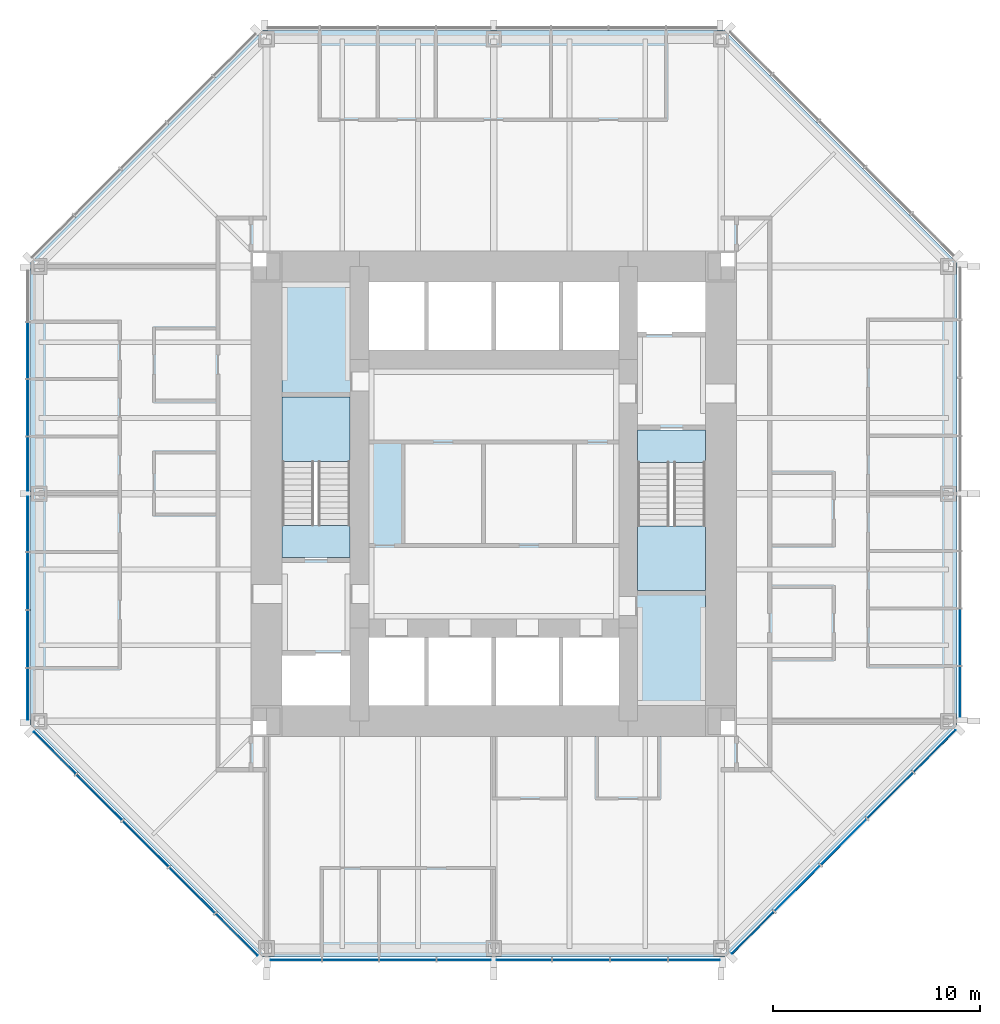
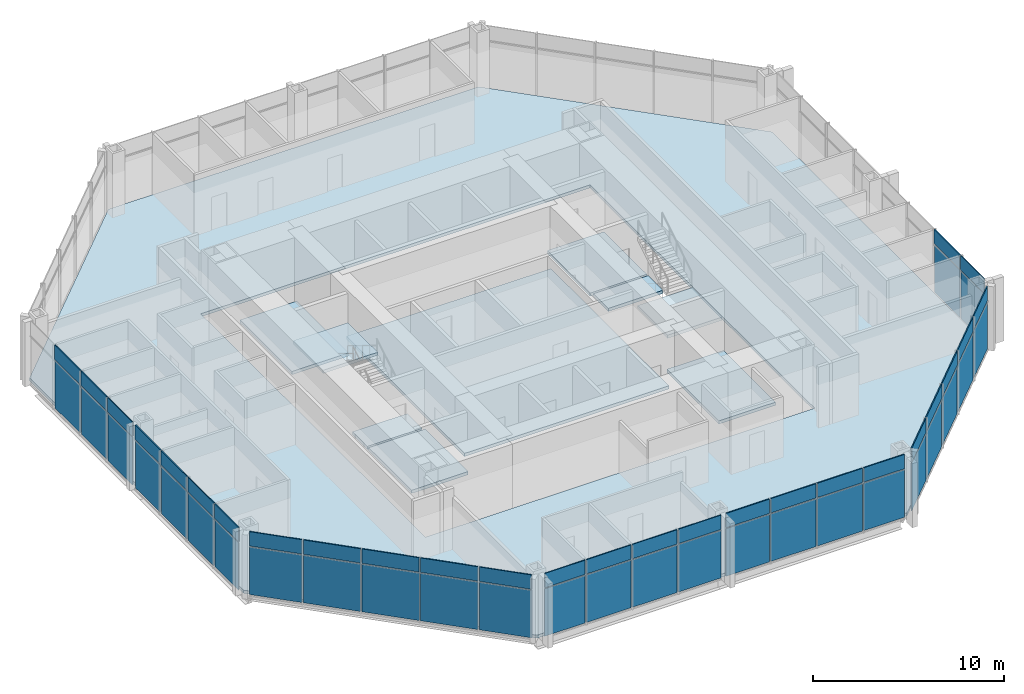
# One storey, part 7 of 12: 54 plates, 10 slabs, 7 elements without a shape of their own.
"""IFC4 building model written with IfcOpenShell, lengths in metres."""

import ifcopenshell
import ifcopenshell.guid

model = None  # the IFC model being written
_history = None  # IfcOwnerHistory: only IFC2X3 demands one
_inside = {}  # id of a spatial element -> (the spatial element, [elements in it])
_under = {}  # id of a project, library or spatial element -> (it, [spatial elements below it])
_declared = {}  # id of a project -> (the project, [libraries it declares])
_typed = {}  # id of a type object -> (the type object, [elements of that type])
_made_of = {}  # id of a material, layer set ... -> (it, [elements and type objects made of it])


def new_model(schema):
    """Start an empty IFC model of exactly this schema.

    Asked for "IFC4X3", IfcOpenShell would pick the latest addendum, in which some entities
    have other attributes; the version numbers below select the first issue.
    IFC2X3 requires an IfcOwnerHistory on every rooted entity: one is made here for all.
    """
    global model, _history
    if schema == "IFC4X3":
        model = ifcopenshell.file(schema_version=(4, 3, 0, 0))
    else:
        model = ifcopenshell.file(schema=schema)
    _inside.clear()
    _under.clear()
    _declared.clear()
    _typed.clear()
    _made_of.clear()
    _history = None
    if model.schema == "IFC2X3":
        org = make("IfcOrganization", Name="unknown")
        user = make(
            "IfcPersonAndOrganization",
            ThePerson=make("IfcPerson", FamilyName="unknown"),
            TheOrganization=org,
        )
        app = make(
            "IfcApplication",
            ApplicationDeveloper=org,
            Version="unknown",
            ApplicationFullName="unknown",
            ApplicationIdentifier="unknown",
        )
        _history = make(
            "IfcOwnerHistory",
            OwningUser=user,
            OwningApplication=app,
            ChangeAction="ADDED",
            CreationDate=0,
        )
    return model


def make(cls, **values):
    """One entity of the class cls with the attributes given. An attribute that is None is left unset."""
    return model.create_entity(
        cls, **{name: value for name, value in values.items() if value is not None}
    )


def rooted(cls, **values):
    """An entity with a GlobalId (a new one), such as an element, a storey or a relation."""
    return make(cls, GlobalId=ifcopenshell.guid.new(), OwnerHistory=_history, **values)


def si_unit(unit_type, name, prefix=None):
    """IfcSIUnit, for example si_unit("LENGTHUNIT", "METRE", prefix="MILLI")."""
    return make("IfcSIUnit", UnitType=unit_type, Prefix=prefix, Name=name)


def assignment(units):
    """IfcUnitAssignment: the units of a project."""
    return None if units is None else make("IfcUnitAssignment", Units=units)


def point(xyz):
    """IfcCartesianPoint."""
    return None if xyz is None else make("IfcCartesianPoint", Coordinates=xyz)


def direction(xyz):
    """IfcDirection."""
    return None if xyz is None else make("IfcDirection", DirectionRatios=xyz)


def frame(location, z_axis=None, x_axis=None):
    """IfcAxis2Placement3D, a coordinate frame: its origin and axes. An axis left out is left unset."""
    return make(
        "IfcAxis2Placement3D",
        Location=point(location),
        Axis=direction(z_axis),
        RefDirection=direction(x_axis),
    )


def frame_2d(location, x_axis=None):
    """IfcAxis2Placement2D, a coordinate frame in the plane: its origin and x axis."""
    return make(
        "IfcAxis2Placement2D", Location=point(location), RefDirection=direction(x_axis)
    )


def origin():
    """The frame at (0, 0, 0) with its axes left unset."""
    return frame((0.0, 0.0, 0.0))


def origin_2d():
    """The frame at (0, 0) in the plane with its x axis left unset."""
    return frame_2d((0.0, 0.0))


def place(relative_to, where):
    """IfcLocalPlacement: puts the frame where relative to a parent placement (None: the world)."""
    return make(
        "IfcLocalPlacement", PlacementRelTo=relative_to, RelativePlacement=where
    )


def context(
    kind, dimensions, precision=None, world=None, true_north=None, identifier=None
):
    """IfcGeometricRepresentationContext, for example the 3D "Model" context."""
    return make(
        "IfcGeometricRepresentationContext",
        ContextIdentifier=identifier,
        ContextType=kind,
        CoordinateSpaceDimension=dimensions,
        Precision=precision,
        WorldCoordinateSystem=world,
        TrueNorth=true_north,
    )


def subcontext(parent, identifier, kind, view, scale=None):
    """IfcGeometricRepresentationSubContext, for example "Body" below "Model"."""
    return make(
        "IfcGeometricRepresentationSubContext",
        ContextIdentifier=identifier,
        ContextType=kind,
        ParentContext=parent,
        TargetScale=scale,
        TargetView=view,
    )


def project(units=None, contexts=None):
    """IfcProject with its units and contexts."""
    return rooted(
        "IfcProject",
        Name="project",
        RepresentationContexts=contexts,
        UnitsInContext=assignment(units),
    )


def spatial(cls, under=None, at=None, **own):
    """A site, building, storey or space (cls), placed at a placement, below another one or the project."""
    s = rooted(cls, ObjectPlacement=at, **own)
    if under is not None:
        _under.setdefault(under.id(), (under, []))[1].append(s)
    return s


def polyline(points):
    """IfcPolyline through the points."""
    return make("IfcPolyline", Points=[point(p) for p in points])


def profile(cls, at=None, kind="AREA", **sizes):
    """A parametric profile (cls). Its sizes go by their IFC names, for example OverallWidth=200.0."""
    return make(cls, ProfileType=kind, Position=at, **sizes)


def rectangle(**sizes):
    """IfcRectangleProfileDef."""
    return profile("IfcRectangleProfileDef", **sizes)


def outline(outer, holes=None, kind="AREA"):
    """IfcArbitraryClosedProfileDef: a profile drawn as a closed curve; with holes, ...WithVoids."""
    if holes is None:
        return make("IfcArbitraryClosedProfileDef", ProfileType=kind, OuterCurve=outer)
    return make(
        "IfcArbitraryProfileDefWithVoids",
        ProfileType=kind,
        OuterCurve=outer,
        InnerCurves=holes,
    )


def extrude(swept, where, along, depth):
    """IfcExtrudedAreaSolid: the profile swept, set in the frame where, extruded along a direction by depth."""
    return make(
        "IfcExtrudedAreaSolid",
        SweptArea=swept,
        Position=where,
        ExtrudedDirection=direction(along),
        Depth=depth,
    )


def shape(context_of_items, identifier, shape_type, items):
    """IfcShapeRepresentation: the items that make up one representation, for example the "Body"."""
    return make(
        "IfcShapeRepresentation",
        ContextOfItems=context_of_items,
        RepresentationIdentifier=identifier,
        RepresentationType=shape_type,
        Items=items,
    )


def material(Name=None, Category=None):
    """IfcMaterial."""
    return make("IfcMaterial", Name=Name, Category=Category)


def layer(
    of_material, thickness, ventilated=None, Name=None, Category=None, Priority=None
):
    """IfcMaterialLayer: one layer of a wall or slab, of a material (None: an air gap)."""
    return make(
        "IfcMaterialLayer",
        Material=of_material,
        LayerThickness=thickness,
        IsVentilated=ventilated,
        Name=Name,
        Category=Category,
        Priority=Priority,
    )


def layer_set(layers, Name=None):
    """IfcMaterialLayerSet."""
    return make("IfcMaterialLayerSet", MaterialLayers=layers, LayerSetName=Name)


def made_of(thing, what):
    """Note that an element or type object is made of a material, layer set ...; save() writes the relation."""
    if what is not None:
        _made_of.setdefault(what.id(), (what, []))[1].append(thing)
    return thing


def type_object(cls, material=None, **own):
    """A type object (cls), such as IfcWallType, which elements share."""
    return made_of(rooted(cls, **own), material)


def element(
    cls,
    number,
    at=None,
    inside=None,
    cuts=None,
    type_object=None,
    material=None,
    context=None,
    identifier="Body",
    shape_type=None,
    held_by="IfcProductDefinitionShape",
    body=None,
    shapes=None,
    **own,
):
    """One element of the class cls, such as IfcWall. Its Tag is "e" and its number.

    at: its placement. inside: the storey or other place that contains it. cuts: it is an
    opening in that element (IfcRelVoidsElement). A single representation is given by context,
    identifier, shape_type and body (its items); several are given by shapes. held_by: the class
    of the entity that holds the representations. save() writes the other relations.
    """
    e = rooted(cls, Tag="e%d" % number, ObjectPlacement=at, **own)
    if body is not None:
        shapes = [shape(context, identifier, shape_type, body)]
    if shapes is not None:
        e.Representation = make(held_by, Representations=shapes)
    if inside is not None:
        _inside.setdefault(inside.id(), (inside, []))[1].append(e)
    if cuts is not None:
        rooted(
            "IfcRelVoidsElement", RelatingBuildingElement=cuts, RelatedOpeningElement=e
        )
    if type_object is not None:
        _typed.setdefault(type_object.id(), (type_object, []))[1].append(e)
    return made_of(e, material)


def aggregate(whole, parts):
    """IfcRelAggregates: a whole, such as a stair, and the parts it consists of."""
    return rooted("IfcRelAggregates", RelatingObject=whole, RelatedObjects=parts)


def save(model, path):
    """Write the relations noted so far, then the file.

    IfcRelAggregates (storeys below a building ...), IfcRelContainedInSpatialStructure (elements
    in a storey), IfcRelDefinesByType, IfcRelAssociatesMaterial and IfcRelDeclares: one each for
    every whole, place, type object, material and project.
    """
    for whole, parts in _under.values():
        aggregate(whole, parts)
    for where, things in _inside.values():
        rooted(
            "IfcRelContainedInSpatialStructure",
            RelatedElements=things,
            RelatingStructure=where,
        )
    for kind, things in _typed.values():
        rooted("IfcRelDefinesByType", RelatedObjects=things, RelatingType=kind)
    for what, things in _made_of.values():
        rooted("IfcRelAssociatesMaterial", RelatedObjects=things, RelatingMaterial=what)
    for by, libraries in _declared.values():
        rooted("IfcRelDeclares", RelatingContext=by, RelatedDefinitions=libraries)
    model.write(path)


model = new_model("IFC4")

# Units and contexts
model_context = context("Model", 3, precision=1e-05, world=origin(), true_north=direction((0.0, 1.0)))
body_context = subcontext(model_context, "Body", "Model", "MODEL_VIEW")
ifc_project = project(units=[si_unit("LENGTHUNIT", "METRE"), si_unit("AREAUNIT", "SQUARE_METRE"), si_unit("VOLUMEUNIT", "CUBIC_METRE"), si_unit("PLANEANGLEUNIT", "RADIAN"), si_unit("MASSUNIT", "GRAM", prefix="KILO")], contexts=[model_context])

# Site, building, storey
site_placement = place(None, origin())
site = spatial("IfcSite", under=ifc_project, at=site_placement, CompositionType="ELEMENT")
building_placement = place(site_placement, origin())
building = spatial("IfcBuilding", under=site, at=building_placement, Name="Trevanion Tower", CompositionType="ELEMENT")
storey_placement = place(building_placement, frame((0.0, 0.0, 121.300048828125)))
storey = spatial("IfcBuildingStorey", under=building, at=storey_placement, Name="L28", CompositionType="ELEMENT", Elevation=121.300048828125)

# Curtain wall, plates
ifc_material_1 = material(Name="Aluminium and glass", Category="aluminium")
curtain_wall_type = type_object("IfcCurtainWallType", Name="CW2 curtain wall", PredefinedType="USERDEFINED", material=ifc_material_1)
curtain_wall_1_placement = place(storey_placement, origin())
curtain_wall_1 = element("IfcCurtainWall", 1, at=curtain_wall_1_placement, inside=storey, type_object=curtain_wall_type, Name="CW2 L28 0", ObjectType="UNITISED CURTAIN WALL", PredefinedType="USERDEFINED")
ifc_material_2 = material(Name="Aluminium spandrel panel", Category="aluminium")
ifc_layer_1 = layer(ifc_material_2, 0.06005859375)
ifc_layer_set_1 = layer_set([ifc_layer_1], Name="CW2 spandrel panel")
plate_type_1 = type_object("IfcPlateType", Name="CW2 spandrel panel", PredefinedType="CURTAIN_PANEL", material=ifc_layer_set_1)
plate_1_placement = place(storey_placement, frame((22.550048828125, -9.579345703125, 2.997314453125), z_axis=(0.0, 0.0, 1.0), x_axis=(0.0, 1.0, 0.0)))
plate_1 = element("IfcPlate", 2, at=plate_1_placement, type_object=plate_type_1, Name="CW2 panel 1.2", PredefinedType="CURTAIN_PANEL", context=body_context, shape_type="SweptSolid", body=[
    extrude(rectangle(XDim=2.43701171875, YDim=0.06005859375, at=origin_2d()), origin(), (0.0, 0.0, 1.0), 0.91259765625),
])
plate_2_placement = place(storey_placement, frame((22.550048828125, -6.93603515625, 2.997314453125), z_axis=(0.0, 0.0, 1.0), x_axis=(0.0, 1.0, 0.0)))
plate_2 = element("IfcPlate", 3, at=plate_2_placement, type_object=plate_type_1, Name="CW2 panel 2.2", PredefinedType="CURTAIN_PANEL", context=body_context, shape_type="SweptSolid", body=[
    extrude(rectangle(XDim=2.699462890625, YDim=0.06005859375, at=origin_2d()), origin(), (0.0, 0.0, 1.0), 0.91259765625),
])

curtain_wall_2_placement = place(storey_placement, origin())
curtain_wall_2 = element("IfcCurtainWall", 4, at=curtain_wall_2_placement, inside=storey, type_object=curtain_wall_type, Name="CW2 L28 4", ObjectType="UNITISED CURTAIN WALL", PredefinedType="USERDEFINED")
plate_3_placement = place(storey_placement, frame((-22.550048828125, 6.93603515625, 2.997314453125), z_axis=(0.0, 0.0, 1.0), x_axis=(0.0, -1.0, 0.0)))
plate_3 = element("IfcPlate", 5, at=plate_3_placement, type_object=plate_type_1, Name="CW2 panel 2.2", PredefinedType="CURTAIN_PANEL", context=body_context, shape_type="SweptSolid", body=[
    extrude(rectangle(XDim=2.699462890625, YDim=0.06005859375, at=origin_2d()), origin(), (0.0, 0.0, 1.0), 0.91259765625),
])
plate_4_placement = place(storey_placement, frame((-22.550048828125, 4.16162109375, 2.997314453125), z_axis=(0.0, 0.0, 1.0), x_axis=(0.0, -1.0, 0.0)))
plate_4 = element("IfcPlate", 6, at=plate_4_placement, type_object=plate_type_1, Name="CW2 panel 3.2", PredefinedType="CURTAIN_PANEL", context=body_context, shape_type="SweptSolid", body=[
    extrude(rectangle(XDim=2.699462890625, YDim=0.06005859375, at=origin_2d()), origin(), (0.0, 0.0, 1.0), 0.91259765625),
])
plate_5_placement = place(storey_placement, frame((-22.550048828125, 1.443603515625, 2.997314453125), z_axis=(0.0, 0.0, 1.0), x_axis=(0.0, -1.0, 0.0)))
plate_5 = element("IfcPlate", 7, at=plate_5_placement, type_object=plate_type_1, Name="CW2 panel 4.2", PredefinedType="CURTAIN_PANEL", context=body_context, shape_type="SweptSolid", body=[
    extrude(rectangle(XDim=2.5869140625, YDim=0.06005859375, at=origin_2d()), origin(), (0.0, 0.0, 1.0), 0.91259765625),
])
plate_6_placement = place(storey_placement, frame((-22.550048828125, -1.459716796875, 2.997314453125), z_axis=(0.0, 0.0, 1.0), x_axis=(0.0, -1.0, 0.0)))
plate_6 = element("IfcPlate", 8, at=plate_6_placement, type_object=plate_type_1, Name="CW2 panel 5.2", PredefinedType="CURTAIN_PANEL", context=body_context, shape_type="SweptSolid", body=[
    extrude(rectangle(XDim=2.619384765625, YDim=0.06005859375, at=origin_2d()), origin(), (0.0, 0.0, 1.0), 0.91259765625),
])
plate_7_placement = place(storey_placement, frame((-22.550048828125, -4.21044921875, 2.997314453125), z_axis=(0.0, 0.0, 1.0), x_axis=(0.0, -1.0, 0.0)))
plate_7 = element("IfcPlate", 9, at=plate_7_placement, type_object=plate_type_1, Name="CW2 panel 6.2", PredefinedType="CURTAIN_PANEL", context=body_context, shape_type="SweptSolid", body=[
    extrude(rectangle(XDim=2.73193359375, YDim=0.06005859375, at=origin_2d()), origin(), (0.0, 0.0, 1.0), 0.91259765625),
])
plate_8_placement = place(storey_placement, frame((-22.550048828125, -7.017333984375, 2.997314453125), z_axis=(0.0, 0.0, 1.0), x_axis=(0.0, -1.0, 0.0)))
plate_8 = element("IfcPlate", 10, at=plate_8_placement, type_object=plate_type_1, Name="CW2 panel 7.2", PredefinedType="CURTAIN_PANEL", context=body_context, shape_type="SweptSolid", body=[
    extrude(rectangle(XDim=2.73193359375, YDim=0.06005859375, at=origin_2d()), origin(), (0.0, 0.0, 1.0), 0.91259765625),
])
plate_9_placement = place(storey_placement, frame((-22.550048828125, -9.693115234375, 2.997314453125), z_axis=(0.0, 0.0, 1.0), x_axis=(0.0, -1.0, 0.0)))
plate_9 = element("IfcPlate", 11, at=plate_9_placement, type_object=plate_type_1, Name="CW2 panel 8.2", PredefinedType="CURTAIN_PANEL", context=body_context, shape_type="SweptSolid", body=[
    extrude(rectangle(XDim=2.469482421875, YDim=0.06005859375, at=origin_2d()), origin(), (0.0, 0.0, 1.0), 0.91259765625),
])

curtain_wall_3_placement = place(storey_placement, origin())
curtain_wall_3 = element("IfcCurtainWall", 12, at=curtain_wall_3_placement, inside=storey, type_object=curtain_wall_type, Name="CW2 L28 5", ObjectType="UNITISED CURTAIN WALL", PredefinedType="USERDEFINED")
plate_10_placement = place(storey_placement, frame((-21.2421875, -12.53564453125, 2.997314453125), z_axis=(0.0, 0.0, 1.0), x_axis=(0.707106781187, -0.707106781187, 0.0)))
plate_10 = element("IfcPlate", 13, at=plate_10_placement, type_object=plate_type_1, Name="CW2 panel 1.2", PredefinedType="CURTAIN_PANEL", context=body_context, shape_type="SweptSolid", body=[
    extrude(rectangle(XDim=2.8388671875, YDim=0.06005859375, at=origin_2d()), origin(), (0.0, 0.0, 1.0), 0.91259765625),
])
plate_11_placement = place(storey_placement, frame((-19.089111328125, -14.688720703125, 2.997314453125), z_axis=(0.0, 0.0, 1.0), x_axis=(0.707106781187, -0.707106781187, 0.0)))
plate_11 = element("IfcPlate", 14, at=plate_11_placement, type_object=plate_type_1, Name="CW2 panel 2.2", PredefinedType="CURTAIN_PANEL", context=body_context, shape_type="SweptSolid", body=[
    extrude(rectangle(XDim=3.101318359375, YDim=0.06005859375, at=origin_2d()), origin(), (0.0, 0.0, 1.0), 0.91259765625),
])
plate_12_placement = place(storey_placement, frame((-16.843017578125, -16.934814453125, 2.997314453125), z_axis=(0.0, 0.0, 1.0), x_axis=(0.707106781187, -0.707106781187, 0.0)))
plate_12 = element("IfcPlate", 15, at=plate_12_placement, type_object=plate_type_1, Name="CW2 panel 3.2", PredefinedType="CURTAIN_PANEL", context=body_context, shape_type="SweptSolid", body=[
    extrude(rectangle(XDim=3.101318359375, YDim=0.06005859375, at=origin_2d()), origin(), (0.0, 0.0, 1.0), 0.91259765625),
])
plate_13_placement = place(storey_placement, frame((-14.596923828125, -19.180908203125, 2.997314453125), z_axis=(0.0, 0.0, 1.0), x_axis=(0.707106781187, -0.707106781187, 0.0)))
plate_13 = element("IfcPlate", 16, at=plate_13_placement, type_object=plate_type_1, Name="CW2 panel 4.2", PredefinedType="CURTAIN_PANEL", context=body_context, shape_type="SweptSolid", body=[
    extrude(rectangle(XDim=3.101318359375, YDim=0.06005859375, at=origin_2d()), origin(), (0.0, 0.0, 1.0), 0.91259765625),
])
plate_14_placement = place(storey_placement, frame((-12.443603515625, -21.334228515625, 2.997314453125), z_axis=(0.0, 0.0, 1.0), x_axis=(0.707106781187, -0.707106781187, 0.0)))
plate_14 = element("IfcPlate", 17, at=plate_14_placement, type_object=plate_type_1, Name="CW2 panel 5.2", PredefinedType="CURTAIN_PANEL", context=body_context, shape_type="SweptSolid", body=[
    extrude(rectangle(XDim=2.8388671875, YDim=0.06005859375, at=origin_2d()), origin(), (0.0, 0.0, 1.0), 0.91259765625),
])

curtain_wall_4_placement = place(storey_placement, origin())
curtain_wall_4 = element("IfcCurtainWall", 18, at=curtain_wall_4_placement, inside=storey, type_object=curtain_wall_type, Name="CW2 L28 6", ObjectType="UNITISED CURTAIN WALL", PredefinedType="USERDEFINED")
plate_15_placement = place(storey_placement, frame((-9.579345703125, -22.550048828125, 2.997314453125), z_axis=(0.0, 0.0, 1.0), x_axis=(1.0, 0.0, 0.0)))
plate_15 = element("IfcPlate", 19, at=plate_15_placement, type_object=plate_type_1, Name="CW2 panel 1.2", PredefinedType="CURTAIN_PANEL", context=body_context, shape_type="SweptSolid", body=[
    extrude(rectangle(XDim=2.43701171875, YDim=0.06005859375, at=origin_2d()), origin(), (0.0, 0.0, 1.0), 0.91259765625),
])
plate_16_placement = place(storey_placement, frame((-6.93603515625, -22.550048828125, 2.997314453125), z_axis=(0.0, 0.0, 1.0), x_axis=(1.0, 0.0, 0.0)))
plate_16 = element("IfcPlate", 20, at=plate_16_placement, type_object=plate_type_1, Name="CW2 panel 2.2", PredefinedType="CURTAIN_PANEL", context=body_context, shape_type="SweptSolid", body=[
    extrude(rectangle(XDim=2.699462890625, YDim=0.06005859375, at=origin_2d()), origin(), (0.0, 0.0, 1.0), 0.91259765625),
])
plate_17_placement = place(storey_placement, frame((-4.16162109375, -22.550048828125, 2.997314453125), z_axis=(0.0, 0.0, 1.0), x_axis=(1.0, 0.0, 0.0)))
plate_17 = element("IfcPlate", 21, at=plate_17_placement, type_object=plate_type_1, Name="CW2 panel 3.2", PredefinedType="CURTAIN_PANEL", context=body_context, shape_type="SweptSolid", body=[
    extrude(rectangle(XDim=2.699462890625, YDim=0.06005859375, at=origin_2d()), origin(), (0.0, 0.0, 1.0), 0.91259765625),
])
plate_18_placement = place(storey_placement, frame((-1.443603515625, -22.550048828125, 2.997314453125), z_axis=(0.0, 0.0, 1.0), x_axis=(1.0, 0.0, 0.0)))
plate_18 = element("IfcPlate", 22, at=plate_18_placement, type_object=plate_type_1, Name="CW2 panel 4.2", PredefinedType="CURTAIN_PANEL", context=body_context, shape_type="SweptSolid", body=[
    extrude(rectangle(XDim=2.5869140625, YDim=0.06005859375, at=origin_2d()), origin(), (0.0, 0.0, 1.0), 0.91259765625),
])
plate_19_placement = place(storey_placement, frame((1.459716796875, -22.550048828125, 2.997314453125), z_axis=(0.0, 0.0, 1.0), x_axis=(1.0, 0.0, 0.0)))
plate_19 = element("IfcPlate", 23, at=plate_19_placement, type_object=plate_type_1, Name="CW2 panel 5.2", PredefinedType="CURTAIN_PANEL", context=body_context, shape_type="SweptSolid", body=[
    extrude(rectangle(XDim=2.619384765625, YDim=0.06005859375, at=origin_2d()), origin(), (0.0, 0.0, 1.0), 0.91259765625),
])
plate_20_placement = place(storey_placement, frame((4.21044921875, -22.550048828125, 2.997314453125), z_axis=(0.0, 0.0, 1.0), x_axis=(1.0, 0.0, 0.0)))
plate_20 = element("IfcPlate", 24, at=plate_20_placement, type_object=plate_type_1, Name="CW2 panel 6.2", PredefinedType="CURTAIN_PANEL", context=body_context, shape_type="SweptSolid", body=[
    extrude(rectangle(XDim=2.73193359375, YDim=0.06005859375, at=origin_2d()), origin(), (0.0, 0.0, 1.0), 0.91259765625),
])
plate_21_placement = place(storey_placement, frame((7.017333984375, -22.550048828125, 2.997314453125), z_axis=(0.0, 0.0, 1.0), x_axis=(1.0, 0.0, 0.0)))
plate_21 = element("IfcPlate", 25, at=plate_21_placement, type_object=plate_type_1, Name="CW2 panel 7.2", PredefinedType="CURTAIN_PANEL", context=body_context, shape_type="SweptSolid", body=[
    extrude(rectangle(XDim=2.73193359375, YDim=0.06005859375, at=origin_2d()), origin(), (0.0, 0.0, 1.0), 0.91259765625),
])
plate_22_placement = place(storey_placement, frame((9.693115234375, -22.550048828125, 2.997314453125), z_axis=(0.0, 0.0, 1.0), x_axis=(1.0, 0.0, 0.0)))
plate_22 = element("IfcPlate", 26, at=plate_22_placement, type_object=plate_type_1, Name="CW2 panel 8.2", PredefinedType="CURTAIN_PANEL", context=body_context, shape_type="SweptSolid", body=[
    extrude(rectangle(XDim=2.469482421875, YDim=0.06005859375, at=origin_2d()), origin(), (0.0, 0.0, 1.0), 0.91259765625),
])

curtain_wall_5_placement = place(storey_placement, origin())
curtain_wall_5 = element("IfcCurtainWall", 27, at=curtain_wall_5_placement, inside=storey, type_object=curtain_wall_type, Name="CW2 L28 7", ObjectType="UNITISED CURTAIN WALL", PredefinedType="USERDEFINED")
plate_23_placement = place(storey_placement, frame((12.53564453125, -21.2421875, 2.997314453125), z_axis=(0.0, 0.0, 1.0), x_axis=(0.707106781187, 0.707106781187, 0.0)))
plate_23 = element("IfcPlate", 28, at=plate_23_placement, type_object=plate_type_1, Name="CW2 panel 1.2", PredefinedType="CURTAIN_PANEL", context=body_context, shape_type="SweptSolid", body=[
    extrude(rectangle(XDim=2.8388671875, YDim=0.06005859375, at=origin_2d()), origin(), (0.0, 0.0, 1.0), 0.91259765625),
])
plate_24_placement = place(storey_placement, frame((14.688720703125, -19.089111328125, 2.997314453125), z_axis=(0.0, 0.0, 1.0), x_axis=(0.707106781187, 0.707106781187, 0.0)))
plate_24 = element("IfcPlate", 29, at=plate_24_placement, type_object=plate_type_1, Name="CW2 panel 2.2", PredefinedType="CURTAIN_PANEL", context=body_context, shape_type="SweptSolid", body=[
    extrude(rectangle(XDim=3.101318359375, YDim=0.06005859375, at=origin_2d()), origin(), (0.0, 0.0, 1.0), 0.91259765625),
])
plate_25_placement = place(storey_placement, frame((16.934814453125, -16.843017578125, 2.997314453125), z_axis=(0.0, 0.0, 1.0), x_axis=(0.707106781187, 0.707106781187, 0.0)))
plate_25 = element("IfcPlate", 30, at=plate_25_placement, type_object=plate_type_1, Name="CW2 panel 3.2", PredefinedType="CURTAIN_PANEL", context=body_context, shape_type="SweptSolid", body=[
    extrude(rectangle(XDim=3.101318359375, YDim=0.06005859375, at=origin_2d()), origin(), (0.0, 0.0, 1.0), 0.91259765625),
])
plate_26_placement = place(storey_placement, frame((19.180908203125, -14.596923828125, 2.997314453125), z_axis=(0.0, 0.0, 1.0), x_axis=(0.707106781187, 0.707106781187, 0.0)))
plate_26 = element("IfcPlate", 31, at=plate_26_placement, type_object=plate_type_1, Name="CW2 panel 4.2", PredefinedType="CURTAIN_PANEL", context=body_context, shape_type="SweptSolid", body=[
    extrude(rectangle(XDim=3.101318359375, YDim=0.06005859375, at=origin_2d()), origin(), (0.0, 0.0, 1.0), 0.91259765625),
])
plate_27_placement = place(storey_placement, frame((21.334228515625, -12.443603515625, 2.997314453125), z_axis=(0.0, 0.0, 1.0), x_axis=(0.707106781187, 0.707106781187, 0.0)))
plate_27 = element("IfcPlate", 32, at=plate_27_placement, type_object=plate_type_1, Name="CW2 panel 5.2", PredefinedType="CURTAIN_PANEL", context=body_context, shape_type="SweptSolid", body=[
    extrude(rectangle(XDim=2.8388671875, YDim=0.06005859375, at=origin_2d()), origin(), (0.0, 0.0, 1.0), 0.91259765625),
])

# Plate
ifc_material_3 = material(Name="Insulating glass unit", Category="glass")
ifc_layer_2 = layer(ifc_material_3, 0.028076171875)
ifc_layer_set_2 = layer_set([ifc_layer_2], Name="CW2 vision panel")
plate_type_2 = type_object("IfcPlateType", Name="CW2 vision panel", PredefinedType="CURTAIN_PANEL", material=ifc_layer_set_2)
plate_28_placement = place(storey_placement, frame((22.550048828125, -9.579345703125, -0.115234375), z_axis=(0.0, 0.0, 1.0), x_axis=(0.0, 1.0, 0.0)))
plate_28 = element("IfcPlate", 33, at=plate_28_placement, type_object=plate_type_2, Name="CW2 panel 1.1", PredefinedType="CURTAIN_PANEL", context=body_context, shape_type="SweptSolid", body=[
    extrude(rectangle(XDim=2.43701171875, YDim=0.028076171875, at=origin_2d()), origin(), (0.0, 0.0, 1.0), 3.03759765625),
])

plate_29_placement = place(storey_placement, frame((22.550048828125, -6.93603515625, -0.115234375), z_axis=(0.0, 0.0, 1.0), x_axis=(0.0, 1.0, 0.0)))
plate_29 = element("IfcPlate", 34, at=plate_29_placement, type_object=plate_type_2, Name="CW2 panel 2.1", PredefinedType="CURTAIN_PANEL", context=body_context, shape_type="SweptSolid", body=[
    extrude(rectangle(XDim=2.699462890625, YDim=0.028076171875, at=origin_2d()), origin(), (0.0, 0.0, 1.0), 3.03759765625),
])

aggregate(curtain_wall_1, [plate_28, plate_1, plate_29, plate_2])

plate_30_placement = place(storey_placement, frame((-22.550048828125, 6.93603515625, -0.115234375), z_axis=(0.0, 0.0, 1.0), x_axis=(0.0, -1.0, 0.0)))
plate_30 = element("IfcPlate", 35, at=plate_30_placement, type_object=plate_type_2, Name="CW2 panel 2.1", PredefinedType="CURTAIN_PANEL", context=body_context, shape_type="SweptSolid", body=[
    extrude(rectangle(XDim=2.699462890625, YDim=0.028076171875, at=origin_2d()), origin(), (0.0, 0.0, 1.0), 3.03759765625),
])

plate_31_placement = place(storey_placement, frame((-22.550048828125, 4.16162109375, -0.115234375), z_axis=(0.0, 0.0, 1.0), x_axis=(0.0, -1.0, 0.0)))
plate_31 = element("IfcPlate", 36, at=plate_31_placement, type_object=plate_type_2, Name="CW2 panel 3.1", PredefinedType="CURTAIN_PANEL", context=body_context, shape_type="SweptSolid", body=[
    extrude(rectangle(XDim=2.699462890625, YDim=0.028076171875, at=origin_2d()), origin(), (0.0, 0.0, 1.0), 3.03759765625),
])

plate_32_placement = place(storey_placement, frame((-22.550048828125, 1.443603515625, -0.115234375), z_axis=(0.0, 0.0, 1.0), x_axis=(0.0, -1.0, 0.0)))
plate_32 = element("IfcPlate", 37, at=plate_32_placement, type_object=plate_type_2, Name="CW2 panel 4.1", PredefinedType="CURTAIN_PANEL", context=body_context, shape_type="SweptSolid", body=[
    extrude(rectangle(XDim=2.5869140625, YDim=0.028076171875, at=origin_2d()), origin(), (0.0, 0.0, 1.0), 3.03759765625),
])

plate_33_placement = place(storey_placement, frame((-22.550048828125, -1.459716796875, -0.115234375), z_axis=(0.0, 0.0, 1.0), x_axis=(0.0, -1.0, 0.0)))
plate_33 = element("IfcPlate", 38, at=plate_33_placement, type_object=plate_type_2, Name="CW2 panel 5.1", PredefinedType="CURTAIN_PANEL", context=body_context, shape_type="SweptSolid", body=[
    extrude(rectangle(XDim=2.619384765625, YDim=0.028076171875, at=origin_2d()), origin(), (0.0, 0.0, 1.0), 3.03759765625),
])

plate_34_placement = place(storey_placement, frame((-22.550048828125, -4.21044921875, -0.115234375), z_axis=(0.0, 0.0, 1.0), x_axis=(0.0, -1.0, 0.0)))
plate_34 = element("IfcPlate", 39, at=plate_34_placement, type_object=plate_type_2, Name="CW2 panel 6.1", PredefinedType="CURTAIN_PANEL", context=body_context, shape_type="SweptSolid", body=[
    extrude(rectangle(XDim=2.73193359375, YDim=0.028076171875, at=origin_2d()), origin(), (0.0, 0.0, 1.0), 3.03759765625),
])

plate_35_placement = place(storey_placement, frame((-22.550048828125, -7.017333984375, -0.115234375), z_axis=(0.0, 0.0, 1.0), x_axis=(0.0, -1.0, 0.0)))
plate_35 = element("IfcPlate", 40, at=plate_35_placement, type_object=plate_type_2, Name="CW2 panel 7.1", PredefinedType="CURTAIN_PANEL", context=body_context, shape_type="SweptSolid", body=[
    extrude(rectangle(XDim=2.73193359375, YDim=0.028076171875, at=origin_2d()), origin(), (0.0, 0.0, 1.0), 3.03759765625),
])

plate_36_placement = place(storey_placement, frame((-22.550048828125, -9.693115234375, -0.115234375), z_axis=(0.0, 0.0, 1.0), x_axis=(0.0, -1.0, 0.0)))
plate_36 = element("IfcPlate", 41, at=plate_36_placement, type_object=plate_type_2, Name="CW2 panel 8.1", PredefinedType="CURTAIN_PANEL", context=body_context, shape_type="SweptSolid", body=[
    extrude(rectangle(XDim=2.469482421875, YDim=0.028076171875, at=origin_2d()), origin(), (0.0, 0.0, 1.0), 3.03759765625),
])

aggregate(curtain_wall_2, [plate_30, plate_3, plate_31, plate_4, plate_32, plate_5, plate_33, plate_6, plate_34, plate_7, plate_35, plate_8, plate_36, plate_9])

plate_37_placement = place(storey_placement, frame((-21.2421875, -12.53564453125, -0.115234375), z_axis=(0.0, 0.0, 1.0), x_axis=(0.707106781187, -0.707106781187, 0.0)))
plate_37 = element("IfcPlate", 42, at=plate_37_placement, type_object=plate_type_2, Name="CW2 panel 1.1", PredefinedType="CURTAIN_PANEL", context=body_context, shape_type="SweptSolid", body=[
    extrude(rectangle(XDim=2.8388671875, YDim=0.028076171875, at=origin_2d()), origin(), (0.0, 0.0, 1.0), 3.03759765625),
])

plate_38_placement = place(storey_placement, frame((-19.089111328125, -14.688720703125, -0.115234375), z_axis=(0.0, 0.0, 1.0), x_axis=(0.707106781187, -0.707106781187, 0.0)))
plate_38 = element("IfcPlate", 43, at=plate_38_placement, type_object=plate_type_2, Name="CW2 panel 2.1", PredefinedType="CURTAIN_PANEL", context=body_context, shape_type="SweptSolid", body=[
    extrude(rectangle(XDim=3.101318359375, YDim=0.028076171875, at=origin_2d()), origin(), (0.0, 0.0, 1.0), 3.03759765625),
])

plate_39_placement = place(storey_placement, frame((-16.843017578125, -16.934814453125, -0.115234375), z_axis=(0.0, 0.0, 1.0), x_axis=(0.707106781187, -0.707106781187, 0.0)))
plate_39 = element("IfcPlate", 44, at=plate_39_placement, type_object=plate_type_2, Name="CW2 panel 3.1", PredefinedType="CURTAIN_PANEL", context=body_context, shape_type="SweptSolid", body=[
    extrude(rectangle(XDim=3.101318359375, YDim=0.028076171875, at=origin_2d()), origin(), (0.0, 0.0, 1.0), 3.03759765625),
])

plate_40_placement = place(storey_placement, frame((-14.596923828125, -19.180908203125, -0.115234375), z_axis=(0.0, 0.0, 1.0), x_axis=(0.707106781187, -0.707106781187, 0.0)))
plate_40 = element("IfcPlate", 45, at=plate_40_placement, type_object=plate_type_2, Name="CW2 panel 4.1", PredefinedType="CURTAIN_PANEL", context=body_context, shape_type="SweptSolid", body=[
    extrude(rectangle(XDim=3.101318359375, YDim=0.028076171875, at=origin_2d()), origin(), (0.0, 0.0, 1.0), 3.03759765625),
])

plate_41_placement = place(storey_placement, frame((-12.443603515625, -21.334228515625, -0.115234375), z_axis=(0.0, 0.0, 1.0), x_axis=(0.707106781187, -0.707106781187, 0.0)))
plate_41 = element("IfcPlate", 46, at=plate_41_placement, type_object=plate_type_2, Name="CW2 panel 5.1", PredefinedType="CURTAIN_PANEL", context=body_context, shape_type="SweptSolid", body=[
    extrude(rectangle(XDim=2.8388671875, YDim=0.028076171875, at=origin_2d()), origin(), (0.0, 0.0, 1.0), 3.03759765625),
])

aggregate(curtain_wall_3, [plate_37, plate_10, plate_38, plate_11, plate_39, plate_12, plate_40, plate_13, plate_41, plate_14])

plate_42_placement = place(storey_placement, frame((-9.579345703125, -22.550048828125, -0.115234375), z_axis=(0.0, 0.0, 1.0), x_axis=(1.0, 0.0, 0.0)))
plate_42 = element("IfcPlate", 47, at=plate_42_placement, type_object=plate_type_2, Name="CW2 panel 1.1", PredefinedType="CURTAIN_PANEL", context=body_context, shape_type="SweptSolid", body=[
    extrude(rectangle(XDim=2.43701171875, YDim=0.028076171875, at=origin_2d()), origin(), (0.0, 0.0, 1.0), 3.03759765625),
])

plate_43_placement = place(storey_placement, frame((-6.93603515625, -22.550048828125, -0.115234375), z_axis=(0.0, 0.0, 1.0), x_axis=(1.0, 0.0, 0.0)))
plate_43 = element("IfcPlate", 48, at=plate_43_placement, type_object=plate_type_2, Name="CW2 panel 2.1", PredefinedType="CURTAIN_PANEL", context=body_context, shape_type="SweptSolid", body=[
    extrude(rectangle(XDim=2.699462890625, YDim=0.028076171875, at=origin_2d()), origin(), (0.0, 0.0, 1.0), 3.03759765625),
])

plate_44_placement = place(storey_placement, frame((-4.16162109375, -22.550048828125, -0.115234375), z_axis=(0.0, 0.0, 1.0), x_axis=(1.0, 0.0, 0.0)))
plate_44 = element("IfcPlate", 49, at=plate_44_placement, type_object=plate_type_2, Name="CW2 panel 3.1", PredefinedType="CURTAIN_PANEL", context=body_context, shape_type="SweptSolid", body=[
    extrude(rectangle(XDim=2.699462890625, YDim=0.028076171875, at=origin_2d()), origin(), (0.0, 0.0, 1.0), 3.03759765625),
])

plate_45_placement = place(storey_placement, frame((-1.443603515625, -22.550048828125, -0.115234375), z_axis=(0.0, 0.0, 1.0), x_axis=(1.0, 0.0, 0.0)))
plate_45 = element("IfcPlate", 50, at=plate_45_placement, type_object=plate_type_2, Name="CW2 panel 4.1", PredefinedType="CURTAIN_PANEL", context=body_context, shape_type="SweptSolid", body=[
    extrude(rectangle(XDim=2.5869140625, YDim=0.028076171875, at=origin_2d()), origin(), (0.0, 0.0, 1.0), 3.03759765625),
])

plate_46_placement = place(storey_placement, frame((1.459716796875, -22.550048828125, -0.115234375), z_axis=(0.0, 0.0, 1.0), x_axis=(1.0, 0.0, 0.0)))
plate_46 = element("IfcPlate", 51, at=plate_46_placement, type_object=plate_type_2, Name="CW2 panel 5.1", PredefinedType="CURTAIN_PANEL", context=body_context, shape_type="SweptSolid", body=[
    extrude(rectangle(XDim=2.619384765625, YDim=0.028076171875, at=origin_2d()), origin(), (0.0, 0.0, 1.0), 3.03759765625),
])

plate_47_placement = place(storey_placement, frame((4.21044921875, -22.550048828125, -0.115234375), z_axis=(0.0, 0.0, 1.0), x_axis=(1.0, 0.0, 0.0)))
plate_47 = element("IfcPlate", 52, at=plate_47_placement, type_object=plate_type_2, Name="CW2 panel 6.1", PredefinedType="CURTAIN_PANEL", context=body_context, shape_type="SweptSolid", body=[
    extrude(rectangle(XDim=2.73193359375, YDim=0.028076171875, at=origin_2d()), origin(), (0.0, 0.0, 1.0), 3.03759765625),
])

plate_48_placement = place(storey_placement, frame((7.017333984375, -22.550048828125, -0.115234375), z_axis=(0.0, 0.0, 1.0), x_axis=(1.0, 0.0, 0.0)))
plate_48 = element("IfcPlate", 53, at=plate_48_placement, type_object=plate_type_2, Name="CW2 panel 7.1", PredefinedType="CURTAIN_PANEL", context=body_context, shape_type="SweptSolid", body=[
    extrude(rectangle(XDim=2.73193359375, YDim=0.028076171875, at=origin_2d()), origin(), (0.0, 0.0, 1.0), 3.03759765625),
])

plate_49_placement = place(storey_placement, frame((9.693115234375, -22.550048828125, -0.115234375), z_axis=(0.0, 0.0, 1.0), x_axis=(1.0, 0.0, 0.0)))
plate_49 = element("IfcPlate", 54, at=plate_49_placement, type_object=plate_type_2, Name="CW2 panel 8.1", PredefinedType="CURTAIN_PANEL", context=body_context, shape_type="SweptSolid", body=[
    extrude(rectangle(XDim=2.469482421875, YDim=0.028076171875, at=origin_2d()), origin(), (0.0, 0.0, 1.0), 3.03759765625),
])

aggregate(curtain_wall_4, [plate_42, plate_15, plate_43, plate_16, plate_44, plate_17, plate_45, plate_18, plate_46, plate_19, plate_47, plate_20, plate_48, plate_21, plate_49, plate_22])

plate_50_placement = place(storey_placement, frame((12.53564453125, -21.2421875, -0.115234375), z_axis=(0.0, 0.0, 1.0), x_axis=(0.707106781187, 0.707106781187, 0.0)))
plate_50 = element("IfcPlate", 55, at=plate_50_placement, type_object=plate_type_2, Name="CW2 panel 1.1", PredefinedType="CURTAIN_PANEL", context=body_context, shape_type="SweptSolid", body=[
    extrude(rectangle(XDim=2.8388671875, YDim=0.028076171875, at=origin_2d()), origin(), (0.0, 0.0, 1.0), 3.03759765625),
])

plate_51_placement = place(storey_placement, frame((14.688720703125, -19.089111328125, -0.115234375), z_axis=(0.0, 0.0, 1.0), x_axis=(0.707106781187, 0.707106781187, 0.0)))
plate_51 = element("IfcPlate", 56, at=plate_51_placement, type_object=plate_type_2, Name="CW2 panel 2.1", PredefinedType="CURTAIN_PANEL", context=body_context, shape_type="SweptSolid", body=[
    extrude(rectangle(XDim=3.101318359375, YDim=0.028076171875, at=origin_2d()), origin(), (0.0, 0.0, 1.0), 3.03759765625),
])

plate_52_placement = place(storey_placement, frame((16.934814453125, -16.843017578125, -0.115234375), z_axis=(0.0, 0.0, 1.0), x_axis=(0.707106781187, 0.707106781187, 0.0)))
plate_52 = element("IfcPlate", 57, at=plate_52_placement, type_object=plate_type_2, Name="CW2 panel 3.1", PredefinedType="CURTAIN_PANEL", context=body_context, shape_type="SweptSolid", body=[
    extrude(rectangle(XDim=3.101318359375, YDim=0.028076171875, at=origin_2d()), origin(), (0.0, 0.0, 1.0), 3.03759765625),
])

plate_53_placement = place(storey_placement, frame((19.180908203125, -14.596923828125, -0.115234375), z_axis=(0.0, 0.0, 1.0), x_axis=(0.707106781187, 0.707106781187, 0.0)))
plate_53 = element("IfcPlate", 58, at=plate_53_placement, type_object=plate_type_2, Name="CW2 panel 4.1", PredefinedType="CURTAIN_PANEL", context=body_context, shape_type="SweptSolid", body=[
    extrude(rectangle(XDim=3.101318359375, YDim=0.028076171875, at=origin_2d()), origin(), (0.0, 0.0, 1.0), 3.03759765625),
])

plate_54_placement = place(storey_placement, frame((21.334228515625, -12.443603515625, -0.115234375), z_axis=(0.0, 0.0, 1.0), x_axis=(0.707106781187, 0.707106781187, 0.0)))
plate_54 = element("IfcPlate", 59, at=plate_54_placement, type_object=plate_type_2, Name="CW2 panel 5.1", PredefinedType="CURTAIN_PANEL", context=body_context, shape_type="SweptSolid", body=[
    extrude(rectangle(XDim=2.8388671875, YDim=0.028076171875, at=origin_2d()), origin(), (0.0, 0.0, 1.0), 3.03759765625),
])

aggregate(curtain_wall_5, [plate_50, plate_23, plate_51, plate_24, plate_52, plate_25, plate_53, plate_26, plate_54, plate_27])

# Slabs
ifc_material_4 = material(Name="Concrete 5,000 psi on composite metal deck", Category="concrete")
ifc_layer_3 = layer(ifc_material_4, 0.18994140625)
ifc_layer_set_3 = layer_set([ifc_layer_3], Name="SL1 composite floor 190")
slab_type_1 = type_object("IfcSlabType", Name="SL1 composite floor 190", PredefinedType="FLOOR", material=ifc_layer_set_3)
slab_1_placement = place(storey_placement, frame((0.0, 0.0, -0.18994140625)))
element("IfcSlab", 60, at=slab_1_placement, inside=storey, type_object=slab_type_1, Name="SL1 L28 floor", PredefinedType="FLOOR", context=body_context, shape_type="SweptSolid", body=[
    extrude(outline(polyline([(22.419921875, -11.174072265625), (22.419921875, 11.174072265625), (11.174072265625, 22.419921875), (-11.174072265625, 22.419921875), (-22.419921875, 11.174072265625), (-22.419921875, -11.174072265625), (-11.174072265625, -22.419921875), (11.174072265625, -22.419921875), (22.419921875, -11.174072265625)]), holes=[polyline([(11.75, -11.75), (11.75, 11.75), (-11.75, 11.75), (-11.75, -11.75), (11.75, -11.75)])]), origin(), (0.0, 0.0, 1.0), 0.18994140625),
])
ifc_material_5 = material(Name="Concrete 5,000 psi", Category="concrete")
ifc_layer_4 = layer(ifc_material_5, 0.199951171875)
ifc_layer_set_4 = layer_set([ifc_layer_4], Name="SL2 core floor 200")
slab_type_2 = type_object("IfcSlabType", Name="SL2 core floor 200", PredefinedType="FLOOR", material=ifc_layer_set_4)
slab_2_placement = place(storey_placement, frame((0.0, 0.0, -0.199951171875)))
element("IfcSlab", 61, at=slab_2_placement, inside=storey, type_object=slab_type_2, Name="SL2 L28 core floor 1", PredefinedType="FLOOR", context=body_context, shape_type="SweptSolid", body=[
    extrude(outline(polyline([(10.25, -4.804931640625), (10.25, -10.25), (6.830078125, -10.25), (6.830078125, -4.804931640625), (10.25, -4.804931640625)])), origin(), (0.0, 0.0, 1.0), 0.199951171875),
])
slab_3_placement = place(storey_placement, frame((0.0, 0.0, -0.199951171875)))
element("IfcSlab", 62, at=slab_3_placement, inside=storey, type_object=slab_type_2, Name="SL2 L28 core floor 2", PredefinedType="FLOOR", context=body_context, shape_type="SweptSolid", body=[
    extrude(outline(polyline([(-6.830078125, -3.205078125), (-6.830078125, -7.695068359375), (-10.25, -7.695068359375), (-10.25, -3.205078125), (-6.830078125, -3.205078125)])), origin(), (0.0, 0.0, 1.0), 0.199951171875),
])
slab_4_placement = place(storey_placement, frame((0.0, 0.0, -0.199951171875)))
element("IfcSlab", 63, at=slab_4_placement, inside=storey, type_object=slab_type_2, Name="SL2 L28 core floor 3", PredefinedType="FLOOR", context=body_context, shape_type="SweptSolid", body=[
    extrude(outline(polyline([(6.169921875, -6.169921875), (-6.169921875, -6.169921875), (-6.169921875, 6.169921875), (6.169921875, 6.169921875), (6.169921875, -6.169921875)])), origin(), (0.0, 0.0, 1.0), 0.199951171875),
])
slab_5_placement = place(storey_placement, frame((0.0, 0.0, -0.199951171875)))
element("IfcSlab", 64, at=slab_5_placement, inside=storey, type_object=slab_type_2, Name="SL2 L28 core floor 4", PredefinedType="FLOOR", context=body_context, shape_type="SweptSolid", body=[
    extrude(outline(polyline([(6.830078125, 3.205078125), (6.830078125, 7.695068359375), (10.25, 7.695068359375), (10.25, 3.205078125), (6.830078125, 3.205078125)])), origin(), (0.0, 0.0, 1.0), 0.199951171875),
])
slab_6_placement = place(storey_placement, frame((0.0, 0.0, -0.199951171875)))
element("IfcSlab", 65, at=slab_6_placement, inside=storey, type_object=slab_type_2, Name="SL2 L28 core floor 5", PredefinedType="FLOOR", context=body_context, shape_type="SweptSolid", body=[
    extrude(outline(polyline([(-6.830078125, 4.804931640625), (-10.25, 4.804931640625), (-10.25, 10.25), (-6.830078125, 10.25), (-6.830078125, 4.804931640625)])), origin(), (0.0, 0.0, 1.0), 0.199951171875),
])

# Stair, slabs
ifc_material_6 = material(Name="Concrete 5,000 psi on steel stringers", Category="concrete")
stair_type = type_object("IfcStairType", Name="ST stair", PredefinedType="HALF_TURN_STAIR", material=ifc_material_6)
stair_1_placement = place(storey_placement, origin())
stair_1 = element("IfcStair", 66, at=stair_1_placement, inside=storey, type_object=stair_type, Name="ST1 L28", PredefinedType="HALF_TURN_STAIR")
ifc_material_7 = material(Name="Concrete 5,000 psi in steel pan", Category="concrete")
ifc_layer_5 = layer(ifc_material_7, 0.199951171875)
ifc_layer_set_5 = layer_set([ifc_layer_5], Name="STL stair landing 200")
slab_type_3 = type_object("IfcSlabType", Name="STL stair landing 200", PredefinedType="LANDING", material=ifc_layer_set_5)
slab_7_placement = place(storey_placement, frame((0.0, 0.0, -0.199951171875)))
slab_7 = element("IfcSlab", 67, at=slab_7_placement, type_object=slab_type_3, Name="ST1 landing 1", PredefinedType="LANDING", context=body_context, shape_type="SweptSolid", body=[
    extrude(outline(polyline([(6.949951171875, 1.52490234375), (10.25, 1.52490234375), (10.25, 3.074951171875), (6.949951171875, 3.074951171875), (6.949951171875, 1.52490234375)])), origin(), (0.0, 0.0, 1.0), 0.199951171875),
])
slab_8_placement = place(storey_placement, frame((0.0, 0.0, 1.849853515625)))
slab_8 = element("IfcSlab", 68, at=slab_8_placement, type_object=slab_type_3, Name="ST1 landing 2", PredefinedType="LANDING", context=body_context, shape_type="SweptSolid", body=[
    extrude(outline(polyline([(6.949951171875, -4.675048828125), (10.25, -4.675048828125), (10.25, -1.554931640625), (6.949951171875, -1.554931640625), (6.949951171875, -4.675048828125)])), origin(), (0.0, 0.0, 1.0), 0.2001953125),
])
aggregate(stair_1, [slab_7, slab_8])

stair_2_placement = place(storey_placement, origin())
stair_2 = element("IfcStair", 69, at=stair_2_placement, inside=storey, type_object=stair_type, Name="ST2 L28", PredefinedType="HALF_TURN_STAIR")
slab_9_placement = place(storey_placement, frame((0.0, 0.0, -0.199951171875)))
slab_9 = element("IfcSlab", 70, at=slab_9_placement, type_object=slab_type_3, Name="ST2 landing 1", PredefinedType="LANDING", context=body_context, shape_type="SweptSolid", body=[
    extrude(outline(polyline([(-6.949951171875, -1.52490234375), (-10.25, -1.52490234375), (-10.25, -3.074951171875), (-6.949951171875, -3.074951171875), (-6.949951171875, -1.52490234375)])), origin(), (0.0, 0.0, 1.0), 0.199951171875),
])
slab_10_placement = place(storey_placement, frame((0.0, 0.0, 1.849853515625)))
slab_10 = element("IfcSlab", 71, at=slab_10_placement, type_object=slab_type_3, Name="ST2 landing 2", PredefinedType="LANDING", context=body_context, shape_type="SweptSolid", body=[
    extrude(outline(polyline([(-6.949951171875, 4.675048828125), (-10.25, 4.675048828125), (-10.25, 1.554931640625), (-6.949951171875, 1.554931640625), (-6.949951171875, 4.675048828125)])), origin(), (0.0, 0.0, 1.0), 0.2001953125),
])
aggregate(stair_2, [slab_9, slab_10])

save(model, "model.ifc")
